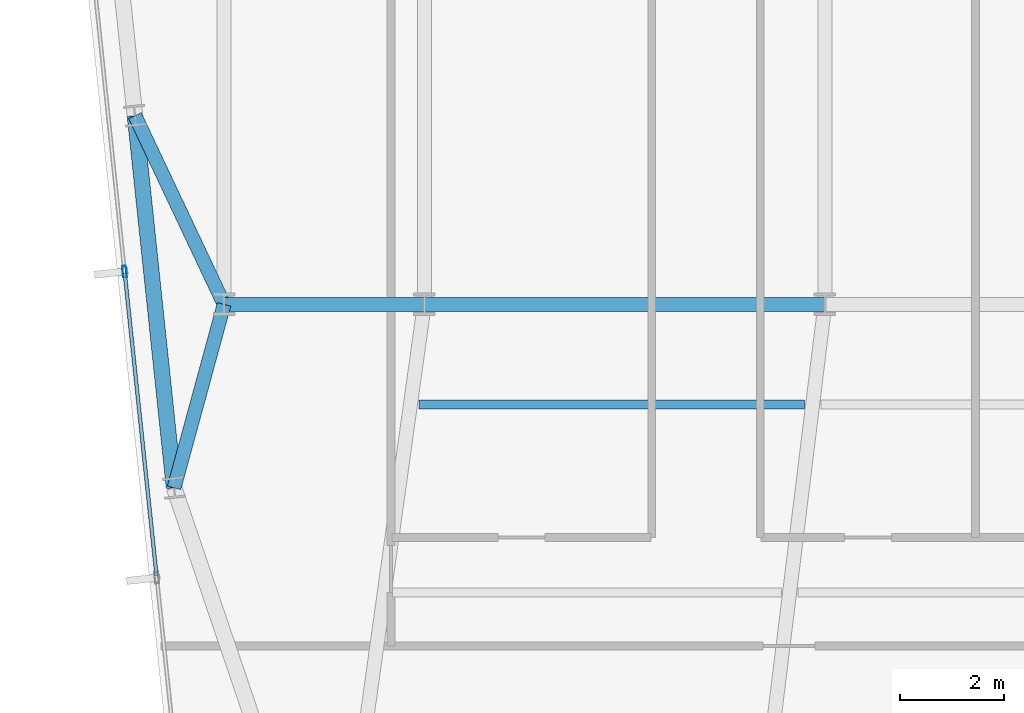
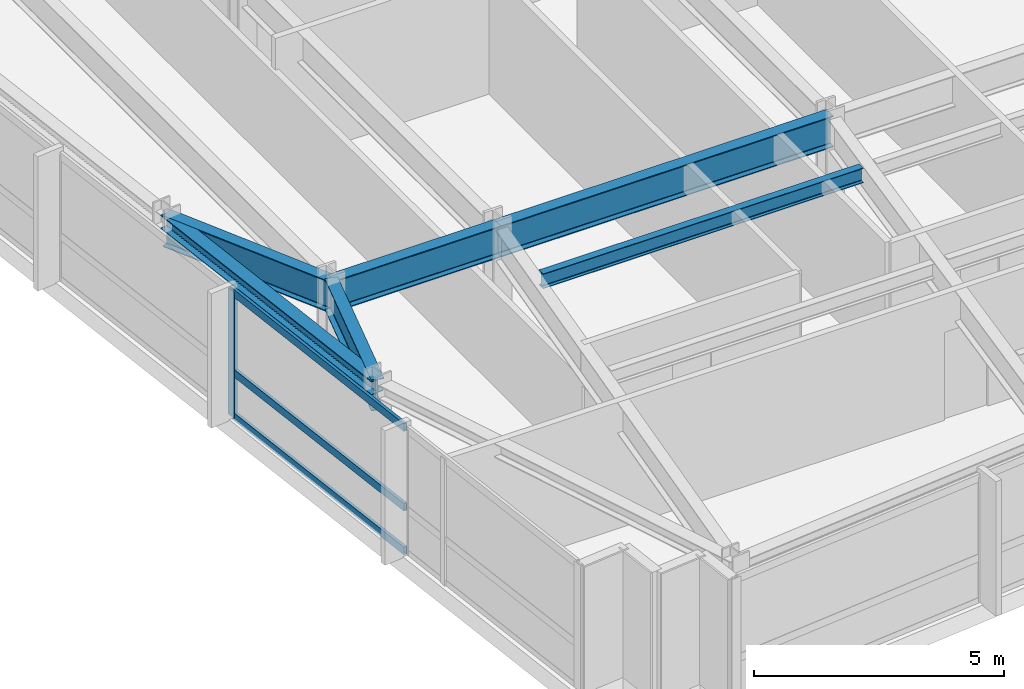
# One storey, part 3 of 26: 6 beams, 4 members, 1 element without a shape of its own.
"""IFC4 building model written with IfcOpenShell, lengths in metres."""

from ifc_helpers import new_model, si_unit, direction, frame, origin, origin_2d, place, context, subcontext, project, spatial, hollow_rectangle, i_section, extrude, material, material_profile, profile_set, type_object, element, aggregate, save


model = new_model("IFC4")

# Units and contexts
model_context = context("Model", 3, precision=1e-05, world=origin(), true_north=direction((0.0, 1.0)))
body_context = subcontext(model_context, "Body", "Model", "MODEL_VIEW")
ifc_project = project(units=[si_unit("LENGTHUNIT", "METRE"), si_unit("AREAUNIT", "SQUARE_METRE"), si_unit("VOLUMEUNIT", "CUBIC_METRE"), si_unit("PLANEANGLEUNIT", "RADIAN"), si_unit("MASSUNIT", "GRAM", prefix="KILO")], contexts=[model_context])

# Site, building, storey
site_placement = place(None, origin())
site = spatial("IfcSite", under=ifc_project, at=site_placement, CompositionType="ELEMENT")
building_placement = place(site_placement, origin())
building = spatial("IfcBuilding", under=site, at=building_placement, Name="Yelkora Congress Tower", CompositionType="ELEMENT")
storey_placement = place(building_placement, frame((0.0, 0.0, 204.5)))
storey = spatial("IfcBuildingStorey", under=building, at=storey_placement, Name="L56", CompositionType="ELEMENT", Elevation=204.5)

# Beams
ifc_material_1 = material(Name="Steel S355J2", Category="steel")
ifc_material_profile_1 = material_profile(ifc_material_1, i_section(OverallWidth=0.26708984375, OverallDepth=0.761962890625, WebThickness=0.014404296875, FlangeThickness=0.021484375, FilletRadius=0.01708984375, at=origin_2d()), Name="IPE 750x173")
ifc_profile_set_1 = profile_set([ifc_material_profile_1], Name="Steel S355J2")
beam_type_1 = type_object("IfcBeamType", Name="BM-GIRD-IPE750", PredefinedType="BEAM", material=ifc_profile_set_1)
beam_1_placement = place(storey_placement, frame((19.199951171875, 25.199951171875, 2.698974609375), z_axis=(1.0, 0.0, 0.0), x_axis=(0.0, 1.0, 0.0)))
element("IfcBeam", 1, at=beam_1_placement, inside=storey, type_object=beam_type_1, Name="L56 Spine Grid D Girder 1", PredefinedType="BEAM", context=body_context, shape_type="SweptSolid", body=[
    extrude(i_section(OverallWidth=0.26708984375, OverallDepth=0.761962890625, WebThickness=0.014404296875, FlangeThickness=0.021484375, FilletRadius=0.01708984375, at=origin_2d()), origin(), (0.0, 0.0, 1.0), 3.840087890625),
])
beam_2_placement = place(storey_placement, frame((23.0400390625, 25.199951171875, 2.698974609375), z_axis=(1.0, 0.0, 0.0), x_axis=(0.0, 1.0, 0.0)))
element("IfcBeam", 2, at=beam_2_placement, inside=storey, type_object=beam_type_1, Name="L56 Spine Grid D Girder 2", PredefinedType="BEAM", context=body_context, shape_type="SweptSolid", body=[
    extrude(i_section(OverallWidth=0.26708984375, OverallDepth=0.761962890625, WebThickness=0.014404296875, FlangeThickness=0.021484375, FilletRadius=0.01708984375, at=origin_2d()), origin(), (0.0, 0.0, 1.0), 7.679931640625),
])
beam_3_placement = place(storey_placement, frame((18.2412109375, 21.68310546875, 2.698974609375), z_axis=(0.263015394472, 0.964791636713, 0.0), x_axis=(-0.964791636713, 0.263015394472, 0.0)))
element("IfcBeam", 3, at=beam_3_placement, inside=storey, type_object=beam_type_1, Name="L56 Primary Frame Girder W01", PredefinedType="BEAM", context=body_context, shape_type="SweptSolid", body=[
    extrude(i_section(OverallWidth=0.26708984375, OverallDepth=0.761962890625, WebThickness=0.014404296875, FlangeThickness=0.021484375, FilletRadius=0.01708984375, at=origin_2d()), origin(), (0.0, 0.0, 1.0), 3.645263671875),
])
beam_4_placement = place(storey_placement, frame((17.4912109375, 28.81884765625, 2.698974609375), z_axis=(0.426968894221, -0.904266312193, 0.0), x_axis=(0.904266312193, 0.426968894221, 0.0)))
element("IfcBeam", 4, at=beam_4_placement, inside=storey, type_object=beam_type_1, Name="L56 Primary Frame Girder W02", PredefinedType="BEAM", context=body_context, shape_type="SweptSolid", body=[
    extrude(i_section(OverallWidth=0.26708984375, OverallDepth=0.761962890625, WebThickness=0.014404296875, FlangeThickness=0.021484375, FilletRadius=0.01708984375, at=origin_2d()), origin(), (0.0, 0.0, 1.0), 4.001953125),
])
ifc_material_profile_2 = material_profile(ifc_material_1, i_section(OverallWidth=0.169921875, OverallDepth=0.360107421875, WebThickness=0.008056640625, FlangeThickness=0.0126953125, FilletRadius=0.01806640625, at=origin_2d()), Name="IPE 360")
ifc_profile_set_2 = profile_set([ifc_material_profile_2], Name="Steel S355J2")
beam_type_2 = type_object("IfcBeamType", Name="BM-JOIST-IPE360", PredefinedType="JOIST", material=ifc_profile_set_2)
beam_5_placement = place(storey_placement, frame((22.932861328125, 23.278564453125, 2.89990234375), z_axis=(1.0, 0.0, 0.0), x_axis=(0.0, 1.0, 0.0)))
element("IfcBeam", 5, at=beam_5_placement, inside=storey, type_object=beam_type_2, Name="L56 Composite Floor Joist 9", PredefinedType="JOIST", context=body_context, shape_type="SweptSolid", body=[
    extrude(i_section(OverallWidth=0.169921875, OverallDepth=0.360107421875, WebThickness=0.008056640625, FlangeThickness=0.0126953125, FilletRadius=0.01806640625, at=origin_2d()), origin(), (0.0, 0.0, 1.0), 7.3916015625),
])
ifc_material_profile_3 = material_profile(ifc_material_1, i_section(OverallWidth=0.300048828125, OverallDepth=0.340087890625, WebThickness=0.011962890625, FlangeThickness=0.021484375, FilletRadius=0.027099609375, at=origin_2d()), Name="HEB 340")
ifc_profile_set_3 = profile_set([ifc_material_profile_3], Name="Steel S355J2")
beam_type_3 = type_object("IfcBeamType", Name="BM-SPAN-HEB340", PredefinedType="SPANDREL", material=ifc_profile_set_3)
beam_6_placement = place(storey_placement, frame((17.4912109375, 28.81884765625, 2.909912109375), z_axis=(0.104528914631, -0.994521847928, 0.0), x_axis=(0.994521847928, 0.104528914631, 0.0)))
element("IfcBeam", 6, at=beam_6_placement, inside=storey, type_object=beam_type_3, Name="L56 Perimeter Beam 1", PredefinedType="SPANDREL", context=body_context, shape_type="SweptSolid", body=[
    extrude(i_section(OverallWidth=0.300048828125, OverallDepth=0.340087890625, WebThickness=0.011962890625, FlangeThickness=0.021484375, FilletRadius=0.027099609375, at=origin_2d()), origin(), (0.0, 0.0, 1.0), 7.175048828125),
])

# Curtain wall, members
ifc_material_2 = material(Name="Anodised aluminium and insulated glass", Category="aluminium")
curtain_wall_type = type_object("IfcCurtainWallType", Name="CW-SYS-SKY", PredefinedType="NOTDEFINED", material=ifc_material_2)
curtain_wall_placement = place(storey_placement, origin())
curtain_wall = element("IfcCurtainWall", 7, at=curtain_wall_placement, inside=storey, type_object=curtain_wall_type, Name="L56 Unitised Curtain Wall 5", PredefinedType="NOTDEFINED")
ifc_material_3 = material(Name="Anodised aluminium 6063-T6", Category="aluminium")
ifc_material_profile_4 = material_profile(ifc_material_3, hollow_rectangle(XDim=0.074951171875, YDim=0.219970703125, WallThickness=0.0048828125, at=origin_2d()), Name="ALU 75x220x5")
ifc_profile_set_4 = profile_set([ifc_material_profile_4], Name="Anodised aluminium 6063-T6")
member_type_1 = type_object("IfcMemberType", Name="MEM-ML-SKY", PredefinedType="MULLION", material=ifc_profile_set_4)
member_1_placement = place(storey_placement, frame((17.29248046875, 25.829833984375, 0.0), z_axis=(0.0, 0.0, 1.0), x_axis=(-0.994522145958, -0.104526079034, 0.0)))
member_1 = element("IfcMember", 8, at=member_1_placement, type_object=member_type_1, Name="CW-SKY mullion 3", PredefinedType="MULLION", context=body_context, shape_type="SweptSolid", body=[
    extrude(hollow_rectangle(XDim=0.074951171875, YDim=0.219970703125, WallThickness=0.0048828125, at=origin_2d()), origin(), (0.0, 0.0, 1.0), 3.080078125),
])
ifc_material_profile_5 = material_profile(ifc_material_3, hollow_rectangle(XDim=0.070068359375, YDim=0.18994140625, WallThickness=0.00390625, at=origin_2d()), Name="ALU 70x190x4")
ifc_profile_set_5 = profile_set([ifc_material_profile_5], Name="Anodised aluminium 6063-T6")
member_type_2 = type_object("IfcMemberType", Name="MEM-TR-SKY", PredefinedType="USERDEFINED", material=ifc_profile_set_5)
member_2_placement = place(storey_placement, frame((17.90576171875, 19.995361328125, 0.034912109375), z_axis=(-0.104540888232, 0.994520589373, 0.0), x_axis=(-0.994520589373, -0.104540888232, 0.0)))
member_2 = element("IfcMember", 9, at=member_2_placement, type_object=member_type_2, Name="CW-SKY transom 2.1", ObjectType="TRANSOM", PredefinedType="USERDEFINED", context=body_context, shape_type="SweptSolid", body=[
    extrude(hollow_rectangle(XDim=0.070068359375, YDim=0.18994140625, WallThickness=0.00390625, at=origin_2d()), origin(), (0.0, 0.0, 1.0), 5.8291015625),
])
member_3_placement = place(storey_placement, frame((17.90576171875, 19.995361328125, 1.10009765625), z_axis=(-0.104540888232, 0.994520589373, 0.0), x_axis=(-0.994520589373, -0.104540888232, 0.0)))
member_3 = element("IfcMember", 10, at=member_3_placement, type_object=member_type_2, Name="CW-SKY transom 2.2", ObjectType="TRANSOM", PredefinedType="USERDEFINED", context=body_context, shape_type="SweptSolid", body=[
    extrude(hollow_rectangle(XDim=0.070068359375, YDim=0.18994140625, WallThickness=0.00390625, at=origin_2d()), origin(), (0.0, 0.0, 1.0), 5.8291015625),
])
member_4_placement = place(storey_placement, frame((17.90576171875, 19.995361328125, 3.044921875), z_axis=(-0.104540888232, 0.994520589373, 0.0), x_axis=(-0.994520589373, -0.104540888232, 0.0)))
member_4 = element("IfcMember", 11, at=member_4_placement, type_object=member_type_2, Name="CW-SKY transom 2.3", ObjectType="TRANSOM", PredefinedType="USERDEFINED", context=body_context, shape_type="SweptSolid", body=[
    extrude(hollow_rectangle(XDim=0.070068359375, YDim=0.18994140625, WallThickness=0.00390625, at=origin_2d()), origin(), (0.0, 0.0, 1.0), 5.8291015625),
])
aggregate(curtain_wall, [member_1, member_2, member_3, member_4])

save(model, "model.ifc")
